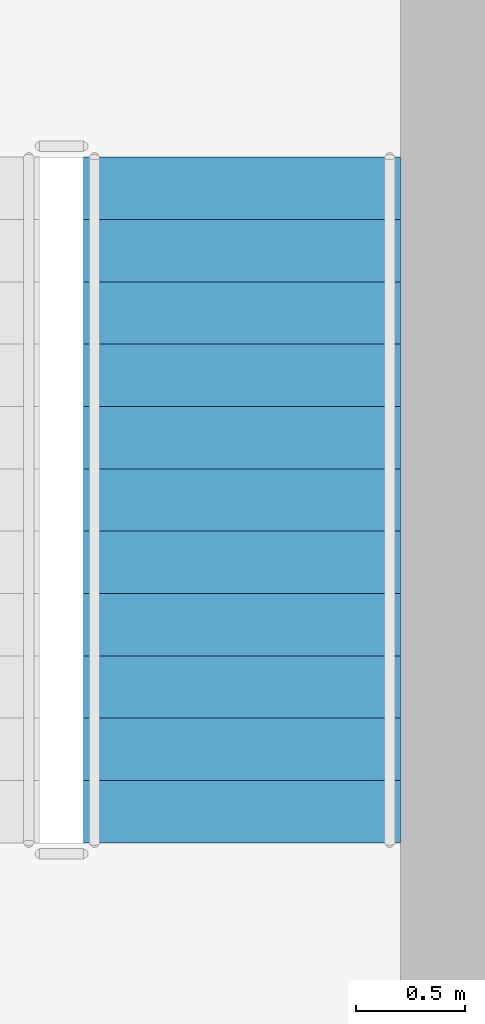
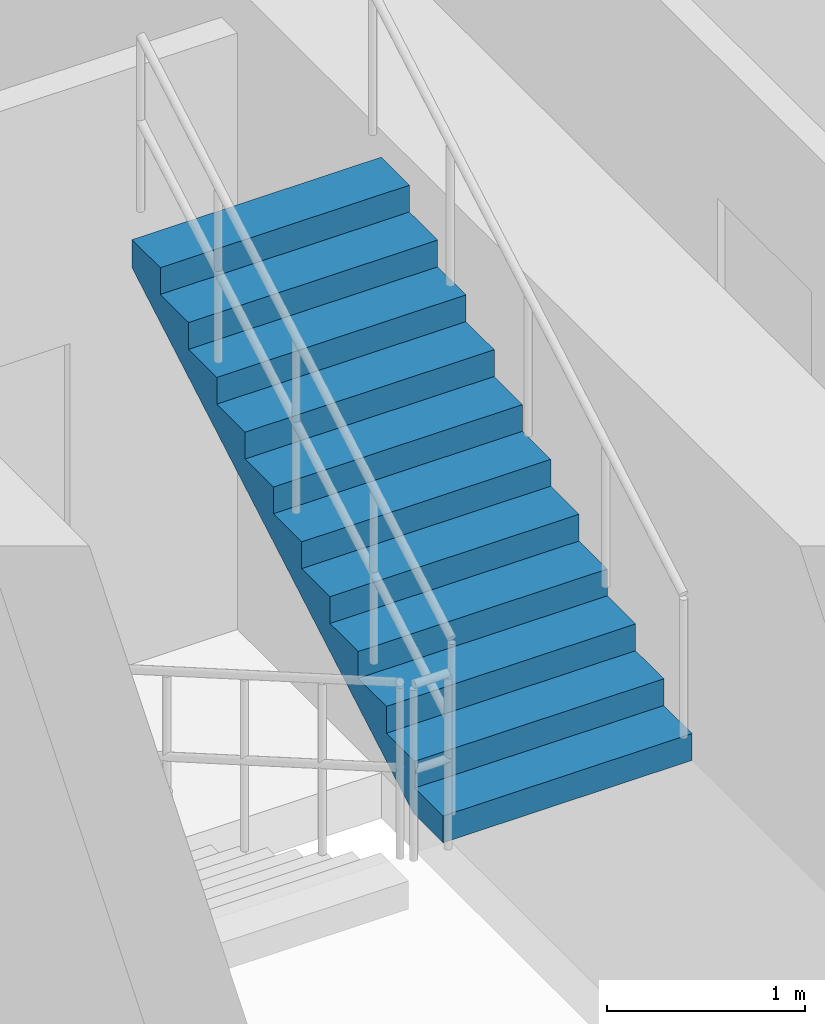
# One storey, part 27 of 29: 1 stair flight, 1 element without a shape of its own.
"""IFC4 building model written with IfcOpenShell, lengths in metres."""

from ifc_helpers import new_model, si_unit, direction, frame, origin, place, context, subcontext, project, spatial, polyline, outline, extrude, material, type_object, element, aggregate, save


model = new_model("IFC4")

# Units and contexts
model_context = context("Model", 3, precision=1e-05, world=origin(), true_north=direction((0.0, 1.0)))
body_context = subcontext(model_context, "Body", "Model", "MODEL_VIEW")
ifc_project = project(units=[si_unit("LENGTHUNIT", "METRE"), si_unit("AREAUNIT", "SQUARE_METRE"), si_unit("VOLUMEUNIT", "CUBIC_METRE"), si_unit("PLANEANGLEUNIT", "RADIAN"), si_unit("MASSUNIT", "GRAM", prefix="KILO")], contexts=[model_context])

# Site, building, storey
site_placement = place(None, origin())
site = spatial("IfcSite", under=ifc_project, at=site_placement, CompositionType="ELEMENT")
building_placement = place(site_placement, origin())
building = spatial("IfcBuilding", under=site, at=building_placement, Name="Krantzveldt Concourse Tower", CompositionType="ELEMENT")
storey_placement = place(building_placement, frame((0.0, 0.0, 60.550048828125)))
storey = spatial("IfcBuildingStorey", under=building, at=storey_placement, Name="L14", CompositionType="ELEMENT", Elevation=60.550048828125)

# Stair, stair flight
ifc_material = material(Name="Precast concrete C40/50", Category="concrete")
stair_type = type_object("IfcStairType", Name="STR-CORE-DOGLEG", PredefinedType="HALF_TURN_STAIR", material=ifc_material)
stair_placement = place(storey_placement, origin())
stair = element("IfcStair", 1, at=stair_placement, inside=storey, type_object=stair_type, Name="L14 Protected Escape Stair ST-2", PredefinedType="HALF_TURN_STAIR")
stair_flight_type = type_object("IfcStairFlightType", Name="STF-CORE-1450", PredefinedType="STRAIGHT", material=ifc_material)
stair_flight_placement = place(storey_placement, frame((42.39501953125, 16.4150390625, 1.974853515625), z_axis=(0.0, 0.0, 1.0), x_axis=(0.0, 1.0, 0.0)))
stair_flight = element("IfcStairFlight", 2, at=stair_flight_placement, type_object=stair_flight_type, Name="ST-2 flight 2", NumberOfRisers=12, NumberOfTreads=11, PredefinedType="STRAIGHT", RiserHeight=0.164583333, TreadLength=0.285, context=body_context, shape_type="SweptSolid", body=[
    extrude(outline(polyline([(0.0, 0.0), (0.0, 0.16455078125), (0.284912109375, 0.16455078125), (0.284912109375, 0.3291015625), (0.570068359375, 0.3291015625), (0.570068359375, 0.49365234375), (0.85498046875, 0.49365234375), (0.85498046875, 0.658447265625), (1.139892578125, 0.658447265625), (1.139892578125, 0.822998046875), (1.425048828125, 0.822998046875), (1.425048828125, 0.987548828125), (1.7099609375, 0.987548828125), (1.7099609375, 1.152099609375), (1.9951171875, 1.152099609375), (1.9951171875, 1.316650390625), (2.280029296875, 1.316650390625), (2.280029296875, 1.481201171875), (2.56494140625, 1.481201171875), (2.56494140625, 1.645751953125), (2.85009765625, 1.645751953125), (2.85009765625, 1.810302734375), (3.135009765625, 1.810302734375), (3.135009765625, 1.97509765625), (3.135009765625, 1.63720703125), (0.2998046875, 0.0), (0.0, 0.0)])), frame((0.0, 0.72509765625, 0.0), z_axis=(0.0, -1.0, 0.0), x_axis=(1.0, 0.0, 0.0)), (0.0, 0.0, 1.0), 1.449951171875),
])
aggregate(stair, [stair_flight])

save(model, "model.ifc")
